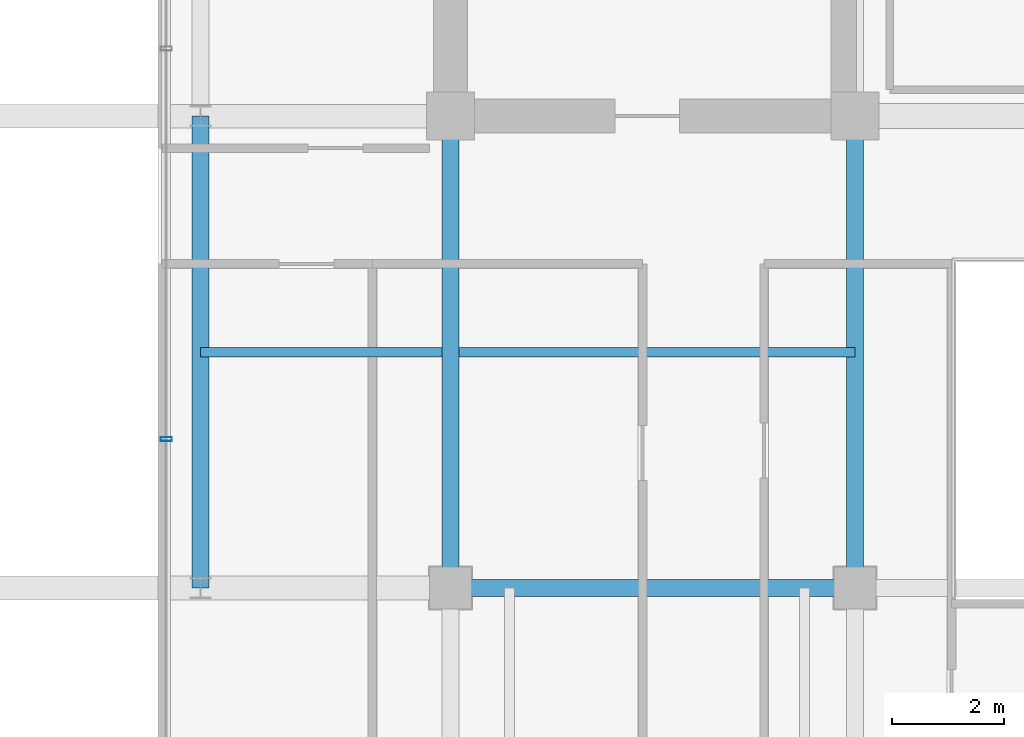
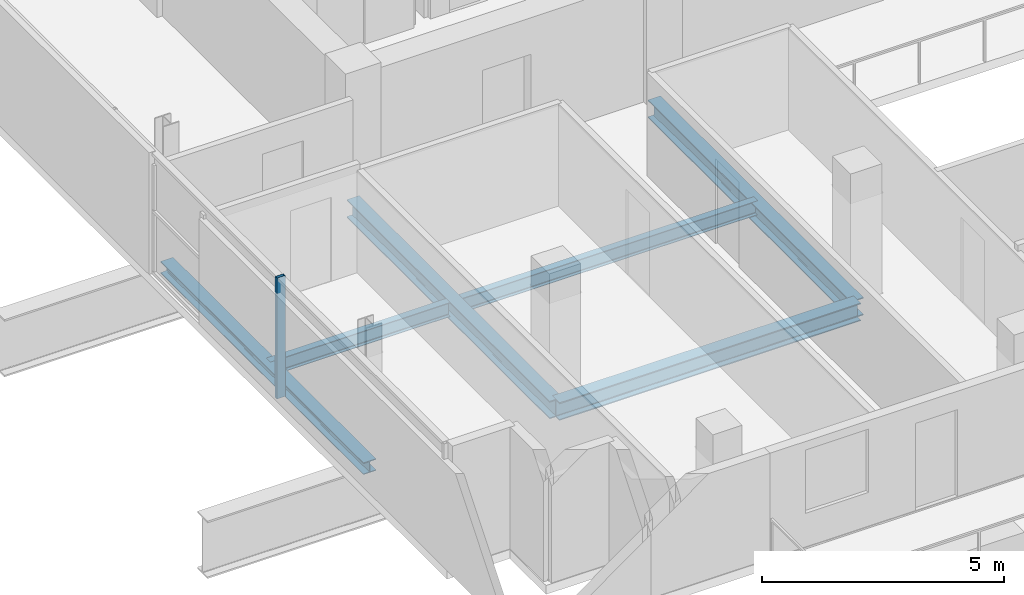
# One storey, part 4 of 23: 6 beams, 1 member, 1 element without a shape of its own.
"""IFC4 building model written with IfcOpenShell, lengths in metres."""

from ifc_helpers import new_model, si_unit, direction, frame, origin, origin_2d, place, context, subcontext, project, spatial, hollow_rectangle, i_section, extrude, source, transform, mapped, material, layer, layer_set, material_profile, profile_set, type_object, element, aggregate, save


model = new_model("IFC4")

# Units and contexts
model_context = context("Model", 3, precision=1e-05, world=origin(), true_north=direction((0.0, 1.0)))
body_context = subcontext(model_context, "Body", "Model", "MODEL_VIEW")
ifc_project = project(units=[si_unit("LENGTHUNIT", "METRE"), si_unit("AREAUNIT", "SQUARE_METRE"), si_unit("VOLUMEUNIT", "CUBIC_METRE"), si_unit("PLANEANGLEUNIT", "RADIAN"), si_unit("MASSUNIT", "GRAM", prefix="KILO")], contexts=[model_context])

# Site, building, storey
site_placement = place(None, origin())
site = spatial("IfcSite", under=ifc_project, at=site_placement, CompositionType="ELEMENT")
building_placement = place(site_placement, origin())
building = spatial("IfcBuilding", under=site, at=building_placement, Name="Zarnakvel Exchange Tower", CompositionType="ELEMENT")
storey_placement = place(building_placement, frame((0.0, 0.0, 232.0)))
storey = spatial("IfcBuildingStorey", under=building, at=storey_placement, Name="L65", CompositionType="ELEMENT", Elevation=232.0)

# Beams
ifc_material_1 = material(Name="Steel S355", Category="steel")
ifc_material_profile_1 = material_profile(ifc_material_1, i_section(OverallWidth=0.169921875, OverallDepth=0.360107421875, WebThickness=0.008056640625, FlangeThickness=0.0126953125, FilletRadius=0.01806640625, at=origin_2d()))
ifc_profile_set_1 = profile_set([ifc_material_profile_1], Name="Steel S355")
beam_type_1 = type_object("IfcBeamType", Name="B-07", PredefinedType="JOIST", material=ifc_profile_set_1)
beam_1_placement = place(storey_placement, frame((-18.85009765625, -5.39990234375, -0.405029296875), z_axis=(1.0, 0.0, 0.0), x_axis=(0.0, 1.0, 0.0)))
element("IfcBeam", 1, at=beam_1_placement, inside=storey, type_object=beam_type_1, Name="L65 Composite Floor Secondary Joist", PredefinedType="JOIST", context=body_context, shape_type="SweptSolid", body=[
    extrude(i_section(OverallWidth=0.169921875, OverallDepth=0.360107421875, WebThickness=0.008056640625, FlangeThickness=0.0126953125, FilletRadius=0.01806640625, at=origin_2d()), origin(), (0.0, 0.0, 1.0), 4.300048828125),
])
beam_2_placement = place(storey_placement, frame((-14.25, -5.39990234375, -0.405029296875), z_axis=(1.0, 0.0, 0.0), x_axis=(0.0, 1.0, 0.0)))
element("IfcBeam", 2, at=beam_2_placement, inside=storey, type_object=beam_type_1, Name="L65 Composite Floor Secondary Joist", PredefinedType="JOIST", context=body_context, shape_type="SweptSolid", body=[
    extrude(i_section(OverallWidth=0.169921875, OverallDepth=0.360107421875, WebThickness=0.008056640625, FlangeThickness=0.0126953125, FilletRadius=0.01806640625, at=origin_2d()), origin(), (0.0, 0.0, 1.0), 7.050048828125),
])
ifc_material_profile_2 = material_profile(ifc_material_1, i_section(OverallWidth=0.300048828125, OverallDepth=0.449951171875, WebThickness=0.013916015625, FlangeThickness=0.02587890625, FilletRadius=0.027099609375, at=origin_2d()))
ifc_profile_set_2 = profile_set([ifc_material_profile_2], Name="Steel S355")
beam_type_2 = type_object("IfcBeamType", Name="G-07", PredefinedType="BEAM", material=ifc_profile_set_2)
beam_3_placement = place(storey_placement, frame((-14.39990234375, -9.60009765625, -0.449951171875), z_axis=(1.0, 0.0, 0.0), x_axis=(0.0, 1.0, 0.0)))
element("IfcBeam", 3, at=beam_3_placement, inside=storey, type_object=beam_type_2, Name="L65 Tower E-W Frame Beam", PredefinedType="BEAM", context=body_context, shape_type="SweptSolid", body=[
    extrude(i_section(OverallWidth=0.300048828125, OverallDepth=0.449951171875, WebThickness=0.013916015625, FlangeThickness=0.02587890625, FilletRadius=0.027099609375, at=origin_2d()), origin(), (0.0, 0.0, 1.0), 7.199951171875),
])
for number, where, z_axis, x_axis, name in (
    (4, (-14.39990234375, -9.60009765625, -0.449951171875), (0.0, 1.0, 0.0), (-1.0, 0.0, 0.0), "L65 Tower N-S Frame Beam"),
    (5, (-7.199951171875, -9.60009765625, -0.449951171875), (0.0, 1.0, 0.0), (-1.0, 0.0, 0.0), "L65 Tower N-S Frame Beam"),
):
    element("IfcBeam", number, at=place(storey_placement, frame(where, z_axis=z_axis, x_axis=x_axis)), inside=storey, type_object=beam_type_2, Name=name, PredefinedType="BEAM", context=body_context, shape_type="SweptSolid", body=[
        extrude(i_section(OverallWidth=0.300048828125, OverallDepth=0.449951171875, WebThickness=0.013916015625, FlangeThickness=0.02587890625, FilletRadius=0.027099609375, at=origin_2d()), origin(), (0.0, 0.0, 1.0), 8.400146484375),
    ])
ifc_material_profile_3 = material_profile(ifc_material_1, i_section(OverallWidth=0.300048828125, OverallDepth=0.300048828125, WebThickness=0.010986328125, FlangeThickness=0.01904296875, FilletRadius=0.027099609375, at=origin_2d()))
ifc_profile_set_3 = profile_set([ifc_material_profile_3], Name="Steel S355")
beam_type_3 = type_object("IfcBeamType", Name="SP-03", PredefinedType="SPANDREL", material=ifc_profile_set_3)
beam_4_placement = place(storey_placement, frame((-18.85009765625, -9.60009765625, -0.375), z_axis=(0.0, 1.0, 0.0), x_axis=(-1.0, 0.0, 0.0)))
element("IfcBeam", 6, at=beam_4_placement, inside=storey, type_object=beam_type_3, Name="L65 Tower N-S Frame Beam", PredefinedType="SPANDREL", context=body_context, shape_type="SweptSolid", body=[
    extrude(i_section(OverallWidth=0.300048828125, OverallDepth=0.300048828125, WebThickness=0.010986328125, FlangeThickness=0.01904296875, FilletRadius=0.027099609375, at=origin_2d()), origin(), (0.0, 0.0, 1.0), 8.400146484375),
])

# Curtain wall, member
ifc_material_2 = material(Name="Architectural Bronze Anodised Aluminium", Category="aluminium")
ifc_layer = layer(ifc_material_2, 0.199951171875)
ifc_layer_set = layer_set([ifc_layer], Name="Architectural Bronze Anodised Aluminium")
curtain_wall_type = type_object("IfcCurtainWallType", Name="CW-04", PredefinedType="NOTDEFINED", material=ifc_layer_set)
curtain_wall_placement = place(storey_placement, origin())
curtain_wall = element("IfcCurtainWall", 7, at=curtain_wall_placement, inside=storey, type_object=curtain_wall_type, Name="L65 Curtain Wall CW-L65-W1 (CW-04)", PredefinedType="NOTDEFINED")
ifc_material_profile_4 = material_profile(ifc_material_2, hollow_rectangle(XDim=0.199951171875, YDim=0.074951171875, WallThickness=0.0048828125, at=origin_2d()))
ifc_profile_set_4 = profile_set([ifc_material_profile_4], Name="Architectural Bronze Anodised Aluminium")
member_type = type_object("IfcMemberType", Name="CWM-04", PredefinedType="MULLION", material=ifc_profile_set_4)
shared_shape = source(origin(), body_context, "Body", "SweptSolid", [
    extrude(hollow_rectangle(XDim=0.199951171875, YDim=0.074951171875, WallThickness=0.0048828125, at=origin_2d()), origin(), (0.0, 0.0, 1.0), 3.054931640625),
])
member_placement = place(storey_placement, frame((-19.4599609375, -6.949951171875, 0.0), z_axis=(0.0, 0.0, 1.0), x_axis=(-1.0, 0.0, 0.0)))
member = element("IfcMember", 8, at=member_placement, type_object=member_type, Name="CW-04 mullion 2", PredefinedType="MULLION", context=body_context, shape_type="MappedRepresentation", body=[
    mapped(shared_shape, transform((0.0, 0.0, 0.0), x_axis=(1.0, 0.0, 0.0), y_axis=(0.0, 1.0, 0.0), z_axis=(0.0, 0.0, 1.0), scale=1.0)),
])
aggregate(curtain_wall, [member])

save(model, "model.ifc")
